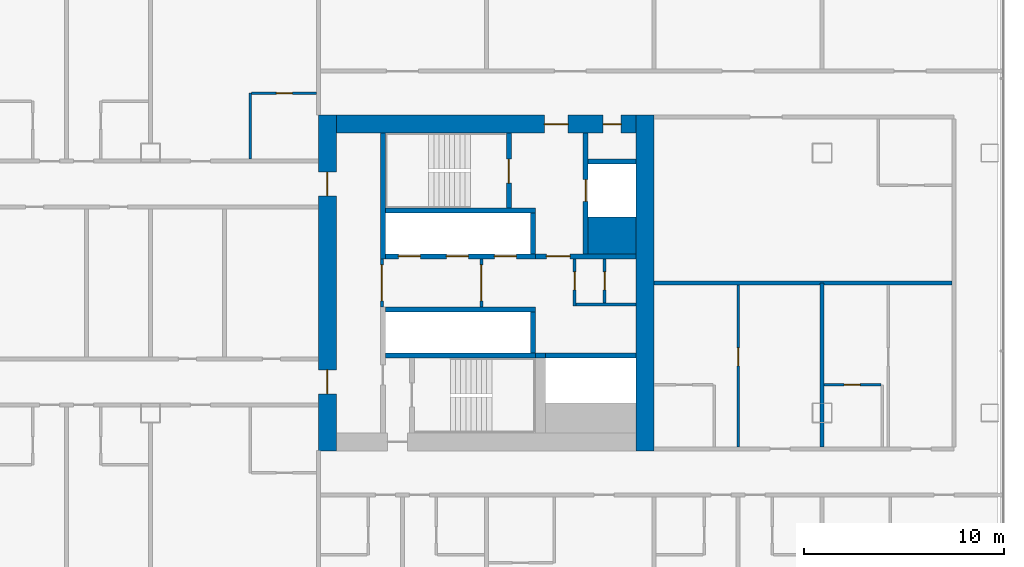
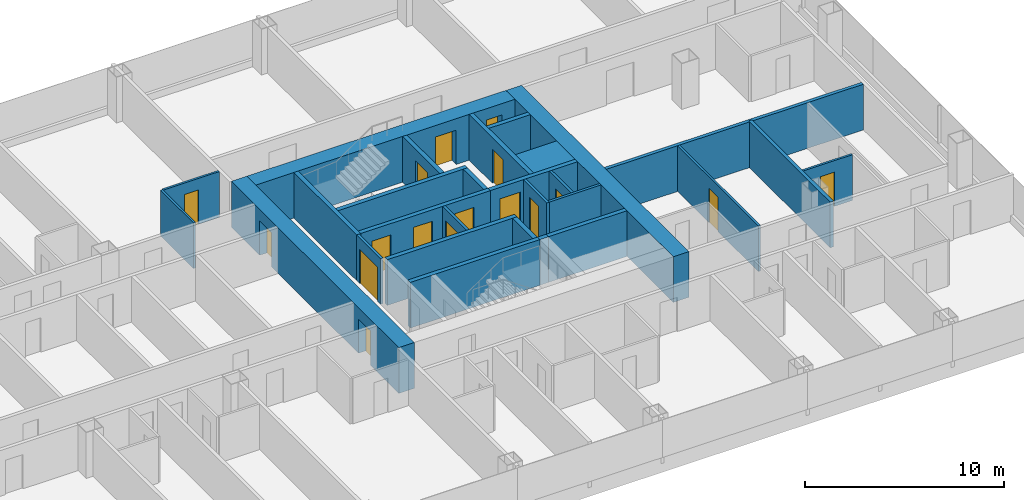
# One storey, part 19 of 29: 28 walls, 17 doors, 17 openings.
"""IFC4 building model written with IfcOpenShell, lengths in metres."""

from ifc_helpers import new_model, si_unit, direction, frame, frame_2d, origin, place, context, subcontext, project, spatial, rectangle, extrude, material, layer, layer_set, type_object, element, fill, save


model = new_model("IFC4")

# Units and contexts
model_context = context("Model", 3, precision=1e-05, world=origin(), true_north=direction((0.0, 1.0)))
body_context = subcontext(model_context, "Body", "Model", "MODEL_VIEW")
ifc_project = project(units=[si_unit("LENGTHUNIT", "METRE"), si_unit("AREAUNIT", "SQUARE_METRE"), si_unit("VOLUMEUNIT", "CUBIC_METRE"), si_unit("PLANEANGLEUNIT", "RADIAN"), si_unit("MASSUNIT", "GRAM", prefix="KILO")], contexts=[model_context])

# Site, building, storey
site_placement = place(None, origin())
site = spatial("IfcSite", under=ifc_project, at=site_placement, CompositionType="ELEMENT")
building_placement = place(site_placement, origin())
building = spatial("IfcBuilding", under=site, at=building_placement, Name="Hakoniwa Tower and Hamabe Station Hall", CompositionType="ELEMENT")
storey_placement = place(building_placement, frame((0.0, 0.0, 29.39990234375)))
storey = spatial("IfcBuildingStorey", under=building, at=storey_placement, Name="L07", CompositionType="ELEMENT", Elevation=29.39990234375)

# Wall, opening, door
ifc_material_1 = material(Name="Gypsum board partition", Category="gypsum")
ifc_layer_1 = layer(ifc_material_1, 0.125)
ifc_layer_set_1 = layer_set([ifc_layer_1], Name="Bathroom Partition 125")
wall_type_1 = type_object("IfcWallType", Name="Bathroom Partition 125", PredefinedType="PARTITIONING", material=ifc_layer_set_1)
wall_1_placement = place(storey_placement, frame((42.10009765625, -5.10009765625, 0.0), z_axis=(0.0, 0.0, 1.0), x_axis=(1.0, 0.0, 0.0)))
wall_1 = element("IfcWall", 1, at=wall_1_placement, inside=storey, type_object=wall_type_1, Name="GW-L07-024", PredefinedType="PARTITIONING", context=body_context, shape_type="SweptSolid", body=[
    extrude(rectangle(XDim=2.83740234375, YDim=0.125, at=frame_2d((1.418701171875, 0.0))), origin(), (0.0, 0.0, 1.0), 2.800048828125),
])
opening_1_placement = place(wall_1_placement, frame((1.0, 0.0, 0.0)))
opening_1 = element("IfcOpeningElement", 2, at=opening_1_placement, cuts=wall_1, Name="Opening GD-G1D0-29", PredefinedType="OPENING", context=body_context, shape_type="SweptSolid", body=[
    extrude(rectangle(XDim=0.800048828125, YDim=2.10009765625, at=frame_2d((0.39990234375, 1.050048828125))), frame((0.0, 0.072509765625, 0.0), z_axis=(0.0, -1.0, 0.0), x_axis=(1.0, 0.0, 0.0)), (0.0, 0.0, 1.0), 0.14501953125),
])
ifc_material_2 = material(Name="Timber door leaf", Category="wood")
door_type_1 = type_object("IfcDoorType", Name="Bathroom Door 800", OperationType="SINGLE_SWING_LEFT", PredefinedType="DOOR", material=ifc_material_2)
door_1_placement = place(opening_1_placement, origin())
door_1 = element("IfcDoor", 3, at=door_1_placement, inside=storey, type_object=door_type_1, Name="Door GD-G1D0-29", OperationType="SINGLE_SWING_RIGHT", OverallHeight=2.10009765625, OverallWidth=0.800048828125, PredefinedType="DOOR", context=body_context, shape_type="SweptSolid", body=[
    extrude(rectangle(XDim=0.800048828125, YDim=2.10009765625, at=frame_2d((0.39990234375, 1.050048828125))), frame((0.0, 0.02490234375, 0.0), z_axis=(0.0, -1.0, 0.0), x_axis=(1.0, 0.0, 0.0)), (0.0, 0.0, 1.0), 0.050048828125),
])
fill(opening_1, door_1)

wall_2_placement = place(storey_placement, frame((13.46240234375, 9.5, 0.0), z_axis=(0.0, 0.0, 1.0), x_axis=(1.0, 0.0, 0.0)))
wall_2 = element("IfcWall", 4, at=wall_2_placement, inside=storey, type_object=wall_type_1, Name="GW-L07-040", PredefinedType="PARTITIONING", context=body_context, shape_type="SweptSolid", body=[
    extrude(rectangle(XDim=3.237548828125, YDim=0.125, at=frame_2d((1.61865234375, 0.0))), origin(), (0.0, 0.0, 1.0), 2.800048828125),
])
opening_2_placement = place(wall_2_placement, frame((1.237548828125, 0.0, 0.0)))
opening_2 = element("IfcOpeningElement", 5, at=opening_2_placement, cuts=wall_2, Name="Opening GD-G1D0-49", PredefinedType="OPENING", context=body_context, shape_type="SweptSolid", body=[
    extrude(rectangle(XDim=0.800048828125, YDim=2.10009765625, at=frame_2d((0.39990234375, 1.050048828125))), frame((0.0, 0.072509765625, 0.0), z_axis=(0.0, -1.0, 0.0), x_axis=(1.0, 0.0, 0.0)), (0.0, 0.0, 1.0), 0.14501953125),
])
door_2_placement = place(opening_2_placement, origin())
door_2 = element("IfcDoor", 6, at=door_2_placement, inside=storey, type_object=door_type_1, Name="Door GD-G1D0-49", OperationType="SINGLE_SWING_RIGHT", OverallHeight=2.10009765625, OverallWidth=0.800048828125, PredefinedType="DOOR", context=body_context, shape_type="SweptSolid", body=[
    extrude(rectangle(XDim=0.800048828125, YDim=2.10009765625, at=frame_2d((0.39990234375, 1.050048828125))), frame((0.0, 0.02490234375, 0.0), z_axis=(0.0, -1.0, 0.0), x_axis=(1.0, 0.0, 0.0)), (0.0, 0.0, 1.0), 0.050048828125),
])
fill(opening_2, door_2)

# Wall
wall_3_placement = place(storey_placement, frame((13.39990234375, 6.199951171875, 0.0), z_axis=(0.0, 0.0, 1.0), x_axis=(0.0, 1.0, 0.0)))
element("IfcWall", 7, at=wall_3_placement, inside=storey, type_object=wall_type_1, Name="GW-L07-093", PredefinedType="PARTITIONING", context=body_context, shape_type="SweptSolid", body=[
    extrude(rectangle(XDim=3.300048828125, YDim=0.125, at=frame_2d((1.64990234375, 0.0))), origin(), (0.0, 0.0, 1.0), 2.800048828125),
])

# Wall, opening, door
ifc_material_3 = material(Name="Gypsum board partition")
ifc_layer_2 = layer(ifc_material_3, 0.14990234375)
ifc_layer_set_2 = layer_set([ifc_layer_2], Name="CORE PARTITION 150 EI 60")
wall_type_2 = type_object("IfcWallType", Name="CORE PARTITION 150 EI 60", PredefinedType="PARTITIONING", material=ifc_layer_set_2)
wall_4_placement = place(storey_placement, frame((19.97509765625, -1.199951171875, 0.0), z_axis=(0.0, 0.0, 1.0), x_axis=(0.0, 1.0, 0.0)))
wall_4 = element("IfcWall", 8, at=wall_4_placement, inside=storey, type_object=wall_type_2, Name="Core partition PL0 east", PredefinedType="PARTITIONING", context=body_context, shape_type="SweptSolid", body=[
    extrude(rectangle(XDim=2.39990234375, YDim=0.14990234375, at=frame_2d((1.199951171875, 0.0))), origin(), (0.0, 0.0, 1.0), 2.800048828125),
])
opening_3_placement = place(wall_4_placement, frame((0.300048828125, 0.0, 0.0)))
opening_3 = element("IfcOpeningElement", 9, at=opening_3_placement, cuts=wall_4, Name="Opening CD-E-LP0-18", PredefinedType="OPENING", context=body_context, shape_type="SweptSolid", body=[
    extrude(rectangle(XDim=1.800048828125, YDim=2.10009765625, at=frame_2d((0.89990234375, 1.050048828125))), frame((0.0, 0.0849609375, 0.0), z_axis=(0.0, -1.0, 0.0), x_axis=(1.0, 0.0, 0.0)), (0.0, 0.0, 1.0), 0.169921875),
])
ifc_material_4 = material(Name="Steel fire door", Category="steel")
door_type_2 = type_object("IfcDoorType", Name="CORE DOOR 1800 FD60", OperationType="DOUBLE_DOOR_SINGLE_SWING", PredefinedType="DOOR", material=ifc_material_4)
door_3_placement = place(opening_3_placement, origin())
door_3 = element("IfcDoor", 10, at=door_3_placement, inside=storey, type_object=door_type_2, Name="Lift lobby partition door", OperationType="DOUBLE_DOOR_SINGLE_SWING", OverallHeight=2.10009765625, OverallWidth=1.800048828125, PredefinedType="DOOR", context=body_context, shape_type="SweptSolid", body=[
    extrude(rectangle(XDim=1.800048828125, YDim=2.10009765625, at=frame_2d((0.89990234375, 1.050048828125))), frame((0.0, 0.02490234375, 0.0), z_axis=(0.0, -1.0, 0.0), x_axis=(1.0, 0.0, 0.0)), (0.0, 0.0, 1.0), 0.050048828125),
])
fill(opening_3, door_3)

wall_5_placement = place(storey_placement, frame((24.949951171875, -1.199951171875, 0.0), z_axis=(0.0, 0.0, 1.0), x_axis=(0.0, 1.0, 0.0)))
wall_5 = element("IfcWall", 11, at=wall_5_placement, inside=storey, type_object=wall_type_2, Name="Core partition PL1 east", PredefinedType="PARTITIONING", context=body_context, shape_type="SweptSolid", body=[
    extrude(rectangle(XDim=2.39990234375, YDim=0.14990234375, at=frame_2d((1.199951171875, 0.0))), origin(), (0.0, 0.0, 1.0), 2.800048828125),
])
opening_4_placement = place(wall_5_placement, frame((0.300048828125, 0.0, 0.0)))
opening_4 = element("IfcOpeningElement", 12, at=opening_4_placement, cuts=wall_5, Name="Opening CD-E-LP1-18", PredefinedType="OPENING", context=body_context, shape_type="SweptSolid", body=[
    extrude(rectangle(XDim=1.800048828125, YDim=2.10009765625, at=frame_2d((0.89990234375, 1.050048828125))), frame((0.0, 0.0849609375, 0.0), z_axis=(0.0, -1.0, 0.0), x_axis=(1.0, 0.0, 0.0)), (0.0, 0.0, 1.0), 0.169921875),
])
door_4_placement = place(opening_4_placement, origin())
door_4 = element("IfcDoor", 13, at=door_4_placement, inside=storey, type_object=door_type_2, Name="Lift lobby partition door", OperationType="DOUBLE_DOOR_SINGLE_SWING", OverallHeight=2.10009765625, OverallWidth=1.800048828125, PredefinedType="DOOR", context=body_context, shape_type="SweptSolid", body=[
    extrude(rectangle(XDim=1.800048828125, YDim=2.10009765625, at=frame_2d((0.89990234375, 1.050048828125))), frame((0.0, 0.02490234375, 0.0), z_axis=(0.0, -1.0, 0.0), x_axis=(1.0, 0.0, 0.0)), (0.0, 0.0, 1.0), 0.050048828125),
])
fill(opening_4, door_4)

wall_6_placement = place(storey_placement, frame((29.625, -1.14990234375, 0.0), z_axis=(0.0, 0.0, 1.0), x_axis=(0.0, 1.0, 0.0)))
wall_6 = element("IfcWall", 14, at=wall_6_placement, inside=storey, type_object=wall_type_2, Name="Core partition PW0 east", PredefinedType="PARTITIONING", context=body_context, shape_type="SweptSolid", body=[
    extrude(rectangle(XDim=2.349853515625, YDim=0.14990234375, at=frame_2d((1.1748046875, 0.0))), origin(), (0.0, 0.0, 1.0), 2.800048828125),
])
opening_5_placement = place(wall_6_placement, frame((0.800048828125, 0.0, 0.0)))
opening_5 = element("IfcOpeningElement", 15, at=opening_5_placement, cuts=wall_6, Name="Opening CD-E-RM1-9", PredefinedType="OPENING", context=body_context, shape_type="SweptSolid", body=[
    extrude(rectangle(XDim=0.89990234375, YDim=2.10009765625, at=frame_2d((0.449951171875, 1.050048828125))), frame((0.0, 0.0849609375, 0.0), z_axis=(0.0, -1.0, 0.0), x_axis=(1.0, 0.0, 0.0)), (0.0, 0.0, 1.0), 0.169921875),
])
ifc_material_5 = material(Name="Steel fire door", Category="steel")
door_type_3 = type_object("IfcDoorType", Name="CORE DOOR 900 FD30", OperationType="NOTDEFINED", PredefinedType="DOOR", material=ifc_material_5)
door_5_placement = place(opening_5_placement, origin())
door_5 = element("IfcDoor", 16, at=door_5_placement, inside=storey, type_object=door_type_3, Name="Store room door", OperationType="SINGLE_SWING_RIGHT", OverallHeight=2.10009765625, OverallWidth=0.89990234375, PredefinedType="DOOR", context=body_context, shape_type="SweptSolid", body=[
    extrude(rectangle(XDim=0.89990234375, YDim=2.10009765625, at=frame_2d((0.449951171875, 1.050048828125))), frame((0.0, 0.02490234375, 0.0), z_axis=(0.0, -1.0, 0.0), x_axis=(1.0, 0.0, 0.0)), (0.0, 0.0, 1.0), 0.050048828125),
])
fill(opening_5, door_5)

# Wall
wall_7_placement = place(storey_placement, frame((29.699951171875, -1.074951171875, 0.0), z_axis=(0.0, 0.0, 1.0), x_axis=(1.0, 0.0, 0.0)))
element("IfcWall", 17, at=wall_7_placement, inside=storey, type_object=wall_type_2, Name="Core partition PS east", PredefinedType="PARTITIONING", context=body_context, shape_type="SweptSolid", body=[
    extrude(rectangle(XDim=3.0, YDim=0.14990234375, at=frame_2d((1.5, 0.0))), origin(), (0.0, 0.0, 1.0), 2.800048828125),
])

# Wall, opening, door
wall_8_placement = place(storey_placement, frame((31.125, -1.0, 0.0), z_axis=(0.0, 0.0, 1.0), x_axis=(0.0, 1.0, 0.0)))
wall_8 = element("IfcWall", 18, at=wall_8_placement, inside=storey, type_object=wall_type_2, Name="Core partition PW1 east", PredefinedType="PARTITIONING", context=body_context, shape_type="SweptSolid", body=[
    extrude(rectangle(XDim=2.199951171875, YDim=0.14990234375, at=frame_2d((1.10009765625, 0.0))), origin(), (0.0, 0.0, 1.0), 2.800048828125),
])
opening_6_placement = place(wall_8_placement, frame((0.64990234375, 0.0, 0.0)))
opening_6 = element("IfcOpeningElement", 19, at=opening_6_placement, cuts=wall_8, Name="Opening CD-E-RM2-9", PredefinedType="OPENING", context=body_context, shape_type="SweptSolid", body=[
    extrude(rectangle(XDim=0.89990234375, YDim=2.10009765625, at=frame_2d((0.449951171875, 1.050048828125))), frame((0.0, 0.0849609375, 0.0), z_axis=(0.0, -1.0, 0.0), x_axis=(1.0, 0.0, 0.0)), (0.0, 0.0, 1.0), 0.169921875),
])
door_6_placement = place(opening_6_placement, origin())
door_6 = element("IfcDoor", 20, at=door_6_placement, inside=storey, type_object=door_type_3, Name="Store room door", OperationType="SINGLE_SWING_RIGHT", OverallHeight=2.10009765625, OverallWidth=0.89990234375, PredefinedType="DOOR", context=body_context, shape_type="SweptSolid", body=[
    extrude(rectangle(XDim=0.89990234375, YDim=2.10009765625, at=frame_2d((0.449951171875, 1.050048828125))), frame((0.0, 0.02490234375, 0.0), z_axis=(0.0, -1.0, 0.0), x_axis=(1.0, 0.0, 0.0)), (0.0, 0.0, 1.0), 0.050048828125),
])
fill(opening_6, door_6)

# Wall, openings, doors
ifc_material_6 = material(Name="Concrete C80", Category="concrete")
ifc_layer_3 = layer(ifc_material_6, 0.89990234375)
ifc_layer_set_3 = layer_set([ifc_layer_3], Name="CORE WALL 900 C80")
wall_type_3 = type_object("IfcWallType", Name="CORE WALL 900 C80", PredefinedType="SHEAR", material=ifc_layer_set_3)
wall_9_placement = place(storey_placement, frame((17.25, -8.39990234375, 0.0), z_axis=(0.0, 0.0, 1.0), x_axis=(0.0, 1.0, 0.0)))
wall_9 = element("IfcWall", 21, at=wall_9_placement, inside=storey, type_object=wall_type_3, Name="Core wall INNER east", PredefinedType="SHEAR", context=body_context, shape_type="SweptSolid", body=[
    extrude(rectangle(XDim=16.7998046875, YDim=0.89990234375, at=frame_2d((8.39990234375, 0.0))), origin(), (0.0, 0.0, 1.0), 2.800048828125),
])
opening_7_placement = place(wall_9_placement, frame((12.75, 0.0, 0.0)))
opening_7 = element("IfcOpeningElement", 22, at=opening_7_placement, cuts=wall_9, Name="Opening CD-E-IN1-12", PredefinedType="OPENING", context=body_context, shape_type="SweptSolid", body=[
    extrude(rectangle(XDim=1.199951171875, YDim=2.10009765625, at=frame_2d((0.60009765625, 1.050048828125))), frame((0.0, 0.4599609375, 0.0), z_axis=(0.0, -1.0, 0.0), x_axis=(1.0, 0.0, 0.0)), (0.0, 0.0, 1.0), 0.919921875),
])
opening_8_placement = place(wall_9_placement, frame((2.85009765625, 0.0, 0.0)))
opening_8 = element("IfcOpeningElement", 23, at=opening_8_placement, cuts=wall_9, Name="Opening CD-E-IN2-12", PredefinedType="OPENING", context=body_context, shape_type="SweptSolid", body=[
    extrude(rectangle(XDim=1.199951171875, YDim=2.10009765625, at=frame_2d((0.60009765625, 1.050048828125))), frame((0.0, 0.4599609375, 0.0), z_axis=(0.0, -1.0, 0.0), x_axis=(1.0, 0.0, 0.0)), (0.0, 0.0, 1.0), 0.919921875),
])
ifc_material_7 = material(Name="Steel fire door", Category="steel")
door_type_4 = type_object("IfcDoorType", Name="CORE DOOR 1200 FD60", OperationType="DOUBLE_DOOR_SINGLE_SWING", PredefinedType="DOOR", material=ifc_material_7)
door_7_placement = place(opening_7_placement, origin())
door_7 = element("IfcDoor", 24, at=door_7_placement, inside=storey, type_object=door_type_4, Name="Lift lobby door", OperationType="DOUBLE_DOOR_SINGLE_SWING", OverallHeight=2.10009765625, OverallWidth=1.199951171875, PredefinedType="DOOR", context=body_context, shape_type="SweptSolid", body=[
    extrude(rectangle(XDim=1.199951171875, YDim=2.10009765625, at=frame_2d((0.60009765625, 1.050048828125))), frame((0.0, 0.02490234375, 0.0), z_axis=(0.0, -1.0, 0.0), x_axis=(1.0, 0.0, 0.0)), (0.0, 0.0, 1.0), 0.050048828125),
])
fill(opening_7, door_7)
door_8_placement = place(opening_8_placement, origin())
door_8 = element("IfcDoor", 25, at=door_8_placement, inside=storey, type_object=door_type_4, Name="Lift lobby door", OperationType="DOUBLE_DOOR_SINGLE_SWING", OverallHeight=2.10009765625, OverallWidth=1.199951171875, PredefinedType="DOOR", context=body_context, shape_type="SweptSolid", body=[
    extrude(rectangle(XDim=1.199951171875, YDim=2.10009765625, at=frame_2d((0.60009765625, 1.050048828125))), frame((0.0, 0.02490234375, 0.0), z_axis=(0.0, -1.0, 0.0), x_axis=(1.0, 0.0, 0.0)), (0.0, 0.0, 1.0), 0.050048828125),
])
fill(opening_8, door_8)

# Wall
wall_10_placement = place(storey_placement, frame((33.14990234375, -8.39990234375, 0.0), z_axis=(0.0, 0.0, 1.0), x_axis=(0.0, 1.0, 0.0)))
element("IfcWall", 26, at=wall_10_placement, inside=storey, type_object=wall_type_3, Name="Core wall OUTER east", PredefinedType="SHEAR", context=body_context, shape_type="SweptSolid", body=[
    extrude(rectangle(XDim=16.7998046875, YDim=0.89990234375, at=frame_2d((8.39990234375, 0.0))), origin(), (0.0, 0.0, 1.0), 2.800048828125),
])

# Wall, openings, doors
wall_11_placement = place(storey_placement, frame((17.699951171875, 7.949951171875, 0.0), z_axis=(0.0, 0.0, 1.0), x_axis=(1.0, 0.0, 0.0)))
wall_11 = element("IfcWall", 27, at=wall_11_placement, inside=storey, type_object=wall_type_3, Name="Core wall NORTH east", PredefinedType="SHEAR", context=body_context, shape_type="SweptSolid", body=[
    extrude(rectangle(XDim=15.0, YDim=0.89990234375, at=frame_2d((7.5, 0.0))), origin(), (0.0, 0.0, 1.0), 2.800048828125),
])
opening_9_placement = place(wall_11_placement, frame((10.39990234375, 0.0, 0.0)))
opening_9 = element("IfcOpeningElement", 28, at=opening_9_placement, cuts=wall_11, Name="Opening CD-E-FN1-12", PredefinedType="OPENING", context=body_context, shape_type="SweptSolid", body=[
    extrude(rectangle(XDim=1.199951171875, YDim=2.10009765625, at=frame_2d((0.60009765625, 1.050048828125))), frame((0.0, 0.4599609375, 0.0), z_axis=(0.0, -1.0, 0.0), x_axis=(1.0, 0.0, 0.0)), (0.0, 0.0, 1.0), 0.919921875),
])
opening_10_placement = place(wall_11_placement, frame((13.35009765625, 0.0, 0.0)))
opening_10 = element("IfcOpeningElement", 29, at=opening_10_placement, cuts=wall_11, Name="Opening CD-E-FN2-9", PredefinedType="OPENING", context=body_context, shape_type="SweptSolid", body=[
    extrude(rectangle(XDim=0.89990234375, YDim=2.10009765625, at=frame_2d((0.449951171875, 1.050048828125))), frame((0.0, 0.4599609375, 0.0), z_axis=(0.0, -1.0, 0.0), x_axis=(1.0, 0.0, 0.0)), (0.0, 0.0, 1.0), 0.919921875),
])
door_9_placement = place(opening_9_placement, origin())
door_9 = element("IfcDoor", 30, at=door_9_placement, inside=storey, type_object=door_type_4, Name="Stair vestibule door to the fire-fighting lobby", OperationType="DOUBLE_DOOR_SINGLE_SWING", OverallHeight=2.10009765625, OverallWidth=1.199951171875, PredefinedType="DOOR", context=body_context, shape_type="SweptSolid", body=[
    extrude(rectangle(XDim=1.199951171875, YDim=2.10009765625, at=frame_2d((0.60009765625, 1.050048828125))), frame((0.0, 0.02490234375, 0.0), z_axis=(0.0, -1.0, 0.0), x_axis=(1.0, 0.0, 0.0)), (0.0, 0.0, 1.0), 0.050048828125),
])
fill(opening_9, door_9)
door_10_placement = place(opening_10_placement, origin())
door_10 = element("IfcDoor", 31, at=door_10_placement, inside=storey, type_object=door_type_3, Name="Riser access door", OperationType="SINGLE_SWING_LEFT", OverallHeight=2.10009765625, OverallWidth=0.89990234375, PredefinedType="DOOR", context=body_context, shape_type="SweptSolid", body=[
    extrude(rectangle(XDim=0.89990234375, YDim=2.10009765625, at=frame_2d((0.449951171875, 1.050048828125))), frame((0.0, 0.02490234375, 0.0), z_axis=(0.0, -1.0, 0.0), x_axis=(1.0, 0.0, 0.0)), (0.0, 0.0, 1.0), 0.050048828125),
])
fill(opening_10, door_10)

# Walls
ifc_material_8 = material(Name="Concrete C80", Category="concrete")
ifc_layer_4 = layer(ifc_material_8, 1.85009765625)
ifc_layer_set_4 = layer_set([ifc_layer_4], Name="CORE WEB WALL 1850 C80")
wall_type_4 = type_object("IfcWallType", Name="CORE WEB WALL 1850 C80", PredefinedType="SHEAR", material=ifc_layer_set_4)
wall_12_placement = place(storey_placement, frame((30.300048828125, 2.375, 0.0), z_axis=(0.0, 0.0, 1.0), x_axis=(1.0, 0.0, 0.0)))
element("IfcWall", 32, at=wall_12_placement, inside=storey, type_object=wall_type_4, Name="Core wall CA east", PredefinedType="SHEAR", context=body_context, shape_type="SweptSolid", body=[
    extrude(rectangle(XDim=2.39990234375, YDim=1.85009765625, at=frame_2d((1.199951171875, 0.0))), origin(), (0.0, 0.0, 1.0), 2.800048828125),
])
ifc_material_9 = material(Name="Concrete C80", Category="concrete")
ifc_layer_5 = layer(ifc_material_9, 0.25)
ifc_layer_set_5 = layer_set([ifc_layer_5], Name="CORE WEB WALL 250 C80")
wall_type_5 = type_object("IfcWallType", Name="CORE WEB WALL 250 C80", PredefinedType="SHEAR", material=ifc_layer_set_5)
wall_13_placement = place(storey_placement, frame((20.02490234375, 1.199951171875, 0.0), z_axis=(0.0, 0.0, 1.0), x_axis=(0.0, 1.0, 0.0)))
element("IfcWall", 33, at=wall_13_placement, inside=storey, type_object=wall_type_5, Name="Core wall W1N east", PredefinedType="SHEAR", context=body_context, shape_type="SweptSolid", body=[
    extrude(rectangle(XDim=6.300048828125, YDim=0.25, at=frame_2d((3.14990234375, 0.0))), origin(), (0.0, 0.0, 1.0), 2.800048828125),
])

# Wall, openings, doors
wall_14_placement = place(storey_placement, frame((20.14990234375, 1.324951171875, 0.0), z_axis=(0.0, 0.0, 1.0), x_axis=(1.0, 0.0, 0.0)))
wall_14 = element("IfcWall", 34, at=wall_14_placement, inside=storey, type_object=wall_type_5, Name="Core wall NF east", PredefinedType="SHEAR", context=body_context, shape_type="SweptSolid", body=[
    extrude(rectangle(XDim=7.5, YDim=0.25, at=frame_2d((3.75, 0.0))), origin(), (0.0, 0.0, 1.0), 2.800048828125),
])
opening_11_placement = place(wall_14_placement, frame((0.64990234375, 0.0, 0.0)))
opening_11 = element("IfcOpeningElement", 35, at=opening_11_placement, cuts=wall_14, Name="Opening LD-LR4", PredefinedType="OPENING", context=body_context, shape_type="SweptSolid", body=[
    extrude(rectangle(XDim=1.10009765625, YDim=2.10009765625, at=frame_2d((0.550048828125, 1.050048828125))), frame((0.0, 0.135009765625, 0.0), z_axis=(0.0, -1.0, 0.0), x_axis=(1.0, 0.0, 0.0)), (0.0, 0.0, 1.0), 0.27001953125),
])
opening_12_placement = place(wall_14_placement, frame((3.050048828125, 0.0, 0.0)))
opening_12 = element("IfcOpeningElement", 36, at=opening_12_placement, cuts=wall_14, Name="Opening LD-LR5", PredefinedType="OPENING", context=body_context, shape_type="SweptSolid", body=[
    extrude(rectangle(XDim=1.10009765625, YDim=2.10009765625, at=frame_2d((0.550048828125, 1.050048828125))), frame((0.0, 0.135009765625, 0.0), z_axis=(0.0, -1.0, 0.0), x_axis=(1.0, 0.0, 0.0)), (0.0, 0.0, 1.0), 0.27001953125),
])
opening_13_placement = place(wall_14_placement, frame((5.449951171875, 0.0, 0.0)))
opening_13 = element("IfcOpeningElement", 37, at=opening_13_placement, cuts=wall_14, Name="Opening LD-LR6", PredefinedType="OPENING", context=body_context, shape_type="SweptSolid", body=[
    extrude(rectangle(XDim=1.10009765625, YDim=2.10009765625, at=frame_2d((0.550048828125, 1.050048828125))), frame((0.0, 0.135009765625, 0.0), z_axis=(0.0, -1.0, 0.0), x_axis=(1.0, 0.0, 0.0)), (0.0, 0.0, 1.0), 0.27001953125),
])
ifc_material_10 = material(Name="Stainless steel SUS304", Category="steel")
door_type_5 = type_object("IfcDoorType", Name="LIFT LANDING DOOR 1100 FD60", OperationType="DOUBLE_DOOR_SLIDING", PredefinedType="DOOR", material=ifc_material_10)
door_11_placement = place(opening_11_placement, origin())
door_11 = element("IfcDoor", 38, at=door_11_placement, inside=storey, type_object=door_type_5, Name="Lift landing door LR4 L07", OperationType="DOUBLE_DOOR_SLIDING", OverallHeight=2.10009765625, OverallWidth=1.10009765625, PredefinedType="DOOR", context=body_context, shape_type="SweptSolid", body=[
    extrude(rectangle(XDim=1.10009765625, YDim=2.10009765625, at=frame_2d((0.550048828125, 1.050048828125))), frame((0.0, 0.02490234375, 0.0), z_axis=(0.0, -1.0, 0.0), x_axis=(1.0, 0.0, 0.0)), (0.0, 0.0, 1.0), 0.050048828125),
])
fill(opening_11, door_11)
door_12_placement = place(opening_12_placement, origin())
door_12 = element("IfcDoor", 39, at=door_12_placement, inside=storey, type_object=door_type_5, Name="Lift landing door LR5 L07", OperationType="DOUBLE_DOOR_SLIDING", OverallHeight=2.10009765625, OverallWidth=1.10009765625, PredefinedType="DOOR", context=body_context, shape_type="SweptSolid", body=[
    extrude(rectangle(XDim=1.10009765625, YDim=2.10009765625, at=frame_2d((0.550048828125, 1.050048828125))), frame((0.0, 0.02490234375, 0.0), z_axis=(0.0, -1.0, 0.0), x_axis=(1.0, 0.0, 0.0)), (0.0, 0.0, 1.0), 0.050048828125),
])
fill(opening_12, door_12)
door_13_placement = place(opening_13_placement, origin())
door_13 = element("IfcDoor", 40, at=door_13_placement, inside=storey, type_object=door_type_5, Name="Lift landing door LR6 L07", OperationType="DOUBLE_DOOR_SLIDING", OverallHeight=2.10009765625, OverallWidth=1.10009765625, PredefinedType="DOOR", context=body_context, shape_type="SweptSolid", body=[
    extrude(rectangle(XDim=1.10009765625, YDim=2.10009765625, at=frame_2d((0.550048828125, 1.050048828125))), frame((0.0, 0.02490234375, 0.0), z_axis=(0.0, -1.0, 0.0), x_axis=(1.0, 0.0, 0.0)), (0.0, 0.0, 1.0), 0.050048828125),
])
fill(opening_13, door_13)

# Walls
wall_15_placement = place(storey_placement, frame((27.52490234375, 1.449951171875, 0.0), z_axis=(0.0, 0.0, 1.0), x_axis=(0.0, 1.0, 0.0)))
element("IfcWall", 41, at=wall_15_placement, inside=storey, type_object=wall_type_5, Name="Core wall NE east", PredefinedType="SHEAR", context=body_context, shape_type="SweptSolid", body=[
    extrude(rectangle(XDim=2.050048828125, YDim=0.25, at=frame_2d((1.02490234375, 0.0))), origin(), (0.0, 0.0, 1.0), 2.800048828125),
])
wall_16_placement = place(storey_placement, frame((20.14990234375, 3.625, 0.0), z_axis=(0.0, 0.0, 1.0), x_axis=(1.0, 0.0, 0.0)))
element("IfcWall", 42, at=wall_16_placement, inside=storey, type_object=wall_type_5, Name="Core wall NR east", PredefinedType="SHEAR", context=body_context, shape_type="SweptSolid", body=[
    extrude(rectangle(XDim=7.5, YDim=0.25, at=frame_2d((3.75, 0.0))), origin(), (0.0, 0.0, 1.0), 2.800048828125),
])

# Wall, opening, door
wall_17_placement = place(storey_placement, frame((26.324951171875, 3.75, 0.0), z_axis=(0.0, 0.0, 1.0), x_axis=(0.0, 1.0, 0.0)))
wall_17 = element("IfcWall", 43, at=wall_17_placement, inside=storey, type_object=wall_type_5, Name="Core wall NSE east", PredefinedType="SHEAR", context=body_context, shape_type="SweptSolid", body=[
    extrude(rectangle(XDim=3.75, YDim=0.25, at=frame_2d((1.875, 0.0))), origin(), (0.0, 0.0, 1.0), 2.800048828125),
])
opening_14_placement = place(wall_17_placement, frame((1.25, 0.0, 0.0)))
opening_14 = element("IfcOpeningElement", 44, at=opening_14_placement, cuts=wall_17, Name="Opening CD-E-SN-12", PredefinedType="OPENING", context=body_context, shape_type="SweptSolid", body=[
    extrude(rectangle(XDim=1.199951171875, YDim=2.10009765625, at=frame_2d((0.60009765625, 1.050048828125))), frame((0.0, 0.135009765625, 0.0), z_axis=(0.0, -1.0, 0.0), x_axis=(1.0, 0.0, 0.0)), (0.0, 0.0, 1.0), 0.27001953125),
])
door_14_placement = place(opening_14_placement, origin())
door_14 = element("IfcDoor", 45, at=door_14_placement, inside=storey, type_object=door_type_4, Name="Escape stair door", OperationType="DOUBLE_DOOR_SINGLE_SWING", OverallHeight=2.10009765625, OverallWidth=1.199951171875, PredefinedType="DOOR", context=body_context, shape_type="SweptSolid", body=[
    extrude(rectangle(XDim=1.199951171875, YDim=2.10009765625, at=frame_2d((0.60009765625, 1.050048828125))), frame((0.0, 0.02490234375, 0.0), z_axis=(0.0, -1.0, 0.0), x_axis=(1.0, 0.0, 0.0)), (0.0, 0.0, 1.0), 0.050048828125),
])
fill(opening_14, door_14)

wall_18_placement = place(storey_placement, frame((27.64990234375, 1.324951171875, 0.0), z_axis=(0.0, 0.0, 1.0), x_axis=(1.0, 0.0, 0.0)))
wall_18 = element("IfcWall", 46, at=wall_18_placement, inside=storey, type_object=wall_type_5, Name="Core wall ELN east", PredefinedType="SHEAR", context=body_context, shape_type="SweptSolid", body=[
    extrude(rectangle(XDim=5.050048828125, YDim=0.25, at=frame_2d((2.52490234375, 0.0))), origin(), (0.0, 0.0, 1.0), 2.800048828125),
])
opening_15_placement = place(wall_18_placement, frame((0.550048828125, 0.0, 0.0)))
opening_15 = element("IfcOpeningElement", 47, at=opening_15_placement, cuts=wall_18, Name="Opening CD-E-FL-12", PredefinedType="OPENING", context=body_context, shape_type="SweptSolid", body=[
    extrude(rectangle(XDim=1.199951171875, YDim=2.10009765625, at=frame_2d((0.60009765625, 1.050048828125))), frame((0.0, 0.135009765625, 0.0), z_axis=(0.0, -1.0, 0.0), x_axis=(1.0, 0.0, 0.0)), (0.0, 0.0, 1.0), 0.27001953125),
])
door_15_placement = place(opening_15_placement, origin())
door_15 = element("IfcDoor", 48, at=door_15_placement, inside=storey, type_object=door_type_4, Name="Stair vestibule door to the fire-fighting lobby", OperationType="DOUBLE_DOOR_SINGLE_SWING", OverallHeight=2.10009765625, OverallWidth=1.199951171875, PredefinedType="DOOR", context=body_context, shape_type="SweptSolid", body=[
    extrude(rectangle(XDim=1.199951171875, YDim=2.10009765625, at=frame_2d((0.60009765625, 1.050048828125))), frame((0.0, 0.02490234375, 0.0), z_axis=(0.0, -1.0, 0.0), x_axis=(1.0, 0.0, 0.0)), (0.0, 0.0, 1.0), 0.050048828125),
])
fill(opening_15, door_15)

wall_19_placement = place(storey_placement, frame((30.175048828125, 1.449951171875, 0.0), z_axis=(0.0, 0.0, 1.0), x_axis=(0.0, 1.0, 0.0)))
wall_19 = element("IfcWall", 49, at=wall_19_placement, inside=storey, type_object=wall_type_5, Name="Core wall FFF east", PredefinedType="SHEAR", context=body_context, shape_type="SweptSolid", body=[
    extrude(rectangle(XDim=6.050048828125, YDim=0.25, at=frame_2d((3.02490234375, 0.0))), origin(), (0.0, 0.0, 1.0), 2.800048828125),
])
opening_16_placement = place(wall_19_placement, frame((2.625, 0.0, 0.0)))
opening_16 = element("IfcOpeningElement", 50, at=opening_16_placement, cuts=wall_19, Name="Opening LD-FF2", PredefinedType="OPENING", context=body_context, shape_type="SweptSolid", body=[
    extrude(rectangle(XDim=1.10009765625, YDim=2.10009765625, at=frame_2d((0.550048828125, 1.050048828125))), frame((0.0, 0.135009765625, 0.0), z_axis=(0.0, -1.0, 0.0), x_axis=(1.0, 0.0, 0.0)), (0.0, 0.0, 1.0), 0.27001953125),
])
door_16_placement = place(opening_16_placement, origin())
door_16 = element("IfcDoor", 51, at=door_16_placement, inside=storey, type_object=door_type_5, Name="Lift landing door FF2 L07", OperationType="DOUBLE_DOOR_SLIDING", OverallHeight=2.10009765625, OverallWidth=1.10009765625, PredefinedType="DOOR", context=body_context, shape_type="SweptSolid", body=[
    extrude(rectangle(XDim=1.10009765625, YDim=2.10009765625, at=frame_2d((0.550048828125, 1.050048828125))), frame((0.0, 0.02490234375, 0.0), z_axis=(0.0, -1.0, 0.0), x_axis=(1.0, 0.0, 0.0)), (0.0, 0.0, 1.0), 0.050048828125),
])
fill(opening_16, door_16)

# Walls
wall_20_placement = place(storey_placement, frame((30.300048828125, 6.074951171875, 0.0), z_axis=(0.0, 0.0, 1.0), x_axis=(1.0, 0.0, 0.0)))
element("IfcWall", 52, at=wall_20_placement, inside=storey, type_object=wall_type_5, Name="Core wall C2 east", PredefinedType="SHEAR", context=body_context, shape_type="SweptSolid", body=[
    extrude(rectangle(XDim=2.39990234375, YDim=0.25, at=frame_2d((1.199951171875, 0.0))), origin(), (0.0, 0.0, 1.0), 2.800048828125),
])
wall_21_placement = place(storey_placement, frame((20.14990234375, -1.324951171875, 0.0), z_axis=(0.0, 0.0, 1.0), x_axis=(1.0, 0.0, 0.0)))
element("IfcWall", 53, at=wall_21_placement, inside=storey, type_object=wall_type_5, Name="Core wall SF east", PredefinedType="SHEAR", context=body_context, shape_type="SweptSolid", body=[
    extrude(rectangle(XDim=7.5, YDim=0.25, at=frame_2d((3.75, 0.0))), origin(), (0.0, 0.0, 1.0), 2.800048828125),
])
wall_22_placement = place(storey_placement, frame((27.52490234375, -3.5, 0.0), z_axis=(0.0, 0.0, 1.0), x_axis=(0.0, 1.0, 0.0)))
element("IfcWall", 54, at=wall_22_placement, inside=storey, type_object=wall_type_5, Name="Core wall SE east", PredefinedType="SHEAR", context=body_context, shape_type="SweptSolid", body=[
    extrude(rectangle(XDim=2.050048828125, YDim=0.25, at=frame_2d((1.02490234375, 0.0))), origin(), (0.0, 0.0, 1.0), 2.800048828125),
])
wall_23_placement = place(storey_placement, frame((20.14990234375, -3.625, 0.0), z_axis=(0.0, 0.0, 1.0), x_axis=(1.0, 0.0, 0.0)))
element("IfcWall", 55, at=wall_23_placement, inside=storey, type_object=wall_type_5, Name="Core wall SR east", PredefinedType="SHEAR", context=body_context, shape_type="SweptSolid", body=[
    extrude(rectangle(XDim=7.5, YDim=0.25, at=frame_2d((3.75, 0.0))), origin(), (0.0, 0.0, 1.0), 2.800048828125),
])
wall_24_placement = place(storey_placement, frame((28.14990234375, -3.625, 0.0), z_axis=(0.0, 0.0, 1.0), x_axis=(1.0, 0.0, 0.0)))
element("IfcWall", 56, at=wall_24_placement, inside=storey, type_object=wall_type_5, Name="Core wall SEF east", PredefinedType="SHEAR", context=body_context, shape_type="SweptSolid", body=[
    extrude(rectangle(XDim=4.550048828125, YDim=0.25, at=frame_2d((2.27490234375, 0.0))), origin(), (0.0, 0.0, 1.0), 2.800048828125),
])
wall_25_placement = place(storey_placement, frame((27.64990234375, -3.625, 0.0), z_axis=(0.0, 0.0, 1.0), x_axis=(1.0, 0.0, 0.0)))
element("IfcWall", 57, at=wall_25_placement, inside=storey, type_object=wall_type_5, Name="Core wall SRK east", PredefinedType="SHEAR", context=body_context, shape_type="SweptSolid", body=[
    extrude(rectangle(XDim=0.5, YDim=0.25, at=frame_2d((0.25, 0.0))), origin(), (0.0, 0.0, 1.0), 2.800048828125),
])
ifc_material_11 = material(Name="Fire-rated gypsum board partition", Category="gypsum")
ifc_layer_6 = layer(ifc_material_11, 0.199951171875)
ifc_layer_set_6 = layer_set([ifc_layer_6], Name="Party Wall 200")
wall_type_6 = type_object("IfcWallType", Name="Party Wall 200", PredefinedType="PARTITIONING", material=ifc_layer_set_6)
wall_26_placement = place(storey_placement, frame((33.60009765625, 0.0, 0.0), z_axis=(0.0, 0.0, 1.0), x_axis=(1.0, 0.0, 0.0)))
element("IfcWall", 58, at=wall_26_placement, inside=storey, type_object=wall_type_6, Name="GW-L07-028", PredefinedType="PARTITIONING", context=body_context, shape_type="SweptSolid", body=[
    extrude(rectangle(XDim=14.89990234375, YDim=0.199951171875, at=frame_2d((7.449951171875, 0.0))), origin(), (0.0, 0.0, 1.0), 2.800048828125),
])
wall_27_placement = place(storey_placement, frame((42.0, -8.199951171875, 0.0), z_axis=(0.0, 0.0, 1.0), x_axis=(0.0, 1.0, 0.0)))
element("IfcWall", 59, at=wall_27_placement, inside=storey, type_object=wall_type_6, Name="GW-L07-110", PredefinedType="PARTITIONING", context=body_context, shape_type="SweptSolid", body=[
    extrude(rectangle(XDim=8.199951171875, YDim=0.199951171875, at=frame_2d((4.10009765625, 0.0))), origin(), (0.0, 0.0, 1.0), 2.800048828125),
])

# Wall, opening, door
ifc_material_12 = material(Name="Gypsum board partition", Category="gypsum")
ifc_layer_7 = layer(ifc_material_12, 0.125)
ifc_layer_set_7 = layer_set([ifc_layer_7], Name="Room Partition 125")
wall_type_7 = type_object("IfcWallType", Name="Room Partition 125", PredefinedType="PARTITIONING", material=ifc_layer_set_7)
wall_28_placement = place(storey_placement, frame((37.800048828125, -8.199951171875, 0.0), z_axis=(0.0, 0.0, 1.0), x_axis=(0.0, 1.0, 0.0)))
wall_28 = element("IfcWall", 60, at=wall_28_placement, inside=storey, type_object=wall_type_7, Name="GW-L07-107", PredefinedType="PARTITIONING", context=body_context, shape_type="SweptSolid", body=[
    extrude(rectangle(XDim=8.099853515625, YDim=0.125, at=frame_2d((4.0498046875, 0.0))), origin(), (0.0, 0.0, 1.0), 2.800048828125),
])
opening_17_placement = place(wall_28_placement, frame((4.050048828125, 0.0, 0.0)))
opening_17 = element("IfcOpeningElement", 61, at=opening_17_placement, cuts=wall_28, Name="Opening GD-G1D0-77", PredefinedType="OPENING", context=body_context, shape_type="SweptSolid", body=[
    extrude(rectangle(XDim=0.89990234375, YDim=2.10009765625, at=frame_2d((0.449951171875, 1.050048828125))), frame((0.0, 0.072509765625, 0.0), z_axis=(0.0, -1.0, 0.0), x_axis=(1.0, 0.0, 0.0)), (0.0, 0.0, 1.0), 0.14501953125),
])
ifc_material_13 = material(Name="Timber door leaf", Category="wood")
door_type_6 = type_object("IfcDoorType", Name="Suite Interior Door 900", OperationType="SINGLE_SWING_LEFT", PredefinedType="DOOR", material=ifc_material_13)
door_17_placement = place(opening_17_placement, origin())
door_17 = element("IfcDoor", 62, at=door_17_placement, inside=storey, type_object=door_type_6, Name="Door GD-G1D0-77", OperationType="SINGLE_SWING_RIGHT", OverallHeight=2.10009765625, OverallWidth=0.89990234375, PredefinedType="DOOR", context=body_context, shape_type="SweptSolid", body=[
    extrude(rectangle(XDim=0.89990234375, YDim=2.10009765625, at=frame_2d((0.449951171875, 1.050048828125))), frame((0.0, 0.02490234375, 0.0), z_axis=(0.0, -1.0, 0.0), x_axis=(1.0, 0.0, 0.0)), (0.0, 0.0, 1.0), 0.050048828125),
])
fill(opening_17, door_17)

save(model, "model.ifc")
